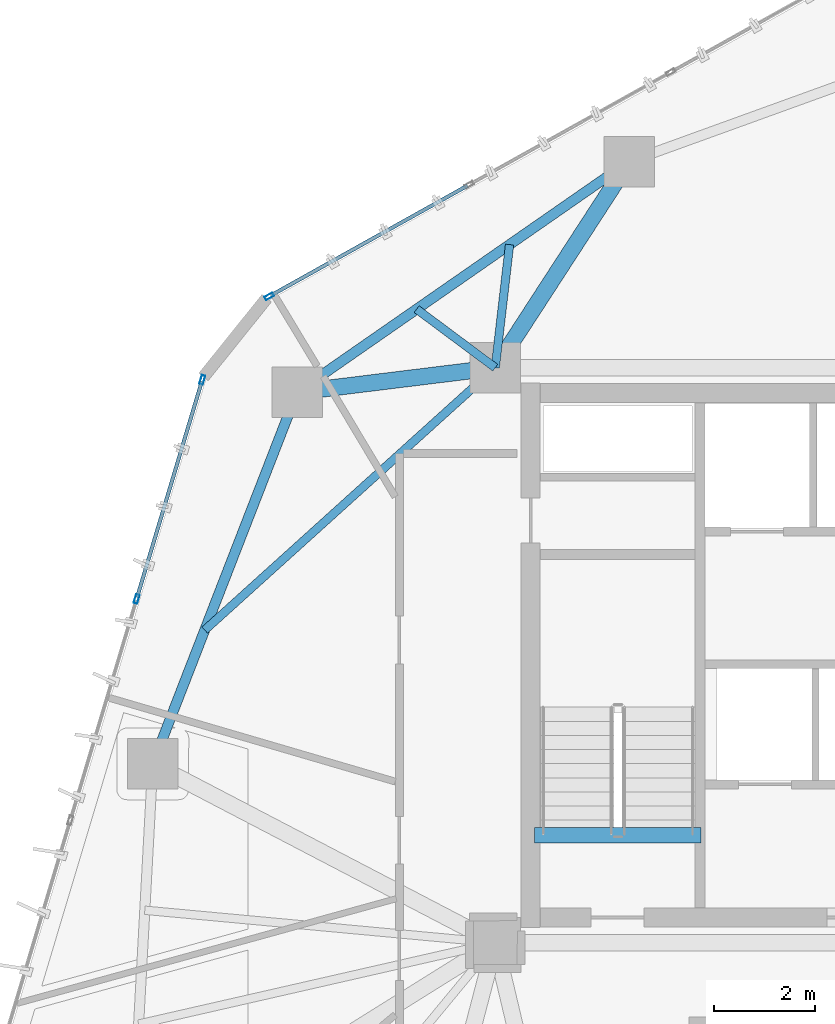
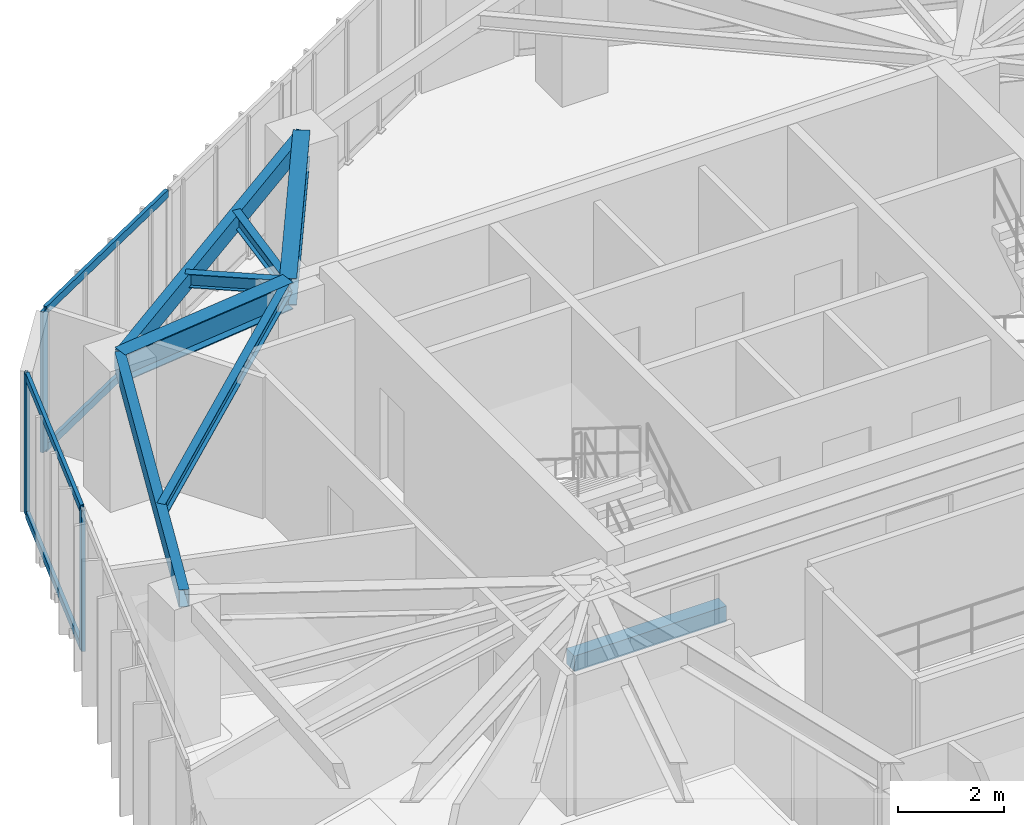
# One storey, part 7 of 19: 8 beams, 7 members, 2 elements without a shape of their own.
"""IFC4 building model written with IfcOpenShell, lengths in metres."""

from ifc_helpers import new_model, si_unit, direction, frame, origin, origin_2d, place, context, subcontext, project, spatial, rectangle, hollow_rectangle, i_section, extrude, source, transform, mapped, material, layer, layer_set, material_profile, profile_set, type_object, type_shapes, element, aggregate, save


model = new_model("IFC4")

# Units and contexts
model_context = context("Model", 3, precision=1e-05, world=origin(), true_north=direction((0.0, 1.0)))
body_context = subcontext(model_context, "Body", "Model", "MODEL_VIEW")
ifc_project = project(units=[si_unit("LENGTHUNIT", "METRE"), si_unit("AREAUNIT", "SQUARE_METRE"), si_unit("VOLUMEUNIT", "CUBIC_METRE"), si_unit("PLANEANGLEUNIT", "RADIAN"), si_unit("MASSUNIT", "GRAM", prefix="KILO")], contexts=[model_context])

# Site, building, storey
site_placement = place(None, origin())
site = spatial("IfcSite", under=ifc_project, at=site_placement, CompositionType="ELEMENT")
building_placement = place(site_placement, origin())
building = spatial("IfcBuilding", under=site, at=building_placement, Name="Talar Marvaseh", CompositionType="ELEMENT")
storey_placement = place(building_placement, frame((0.0, 0.0, 177.5)))
storey = spatial("IfcBuildingStorey", under=building, at=storey_placement, Name="L46", CompositionType="ELEMENT", Elevation=177.5)

# Beams
ifc_material_1 = material(Name="Concrete C40/50", Category="concrete")
ifc_material_profile_1 = material_profile(ifc_material_1, rectangle(XDim=0.300048828125, YDim=0.360107421875, at=origin_2d()), Name="RC300x360")
ifc_profile_set_1 = profile_set([ifc_material_profile_1], Name="Concrete C40/50")
beam_type_1 = type_object("IfcBeamType", Name="Concrete Stair Landing Trimmer Beam RC300x360", PredefinedType="SPANDREL", material=ifc_profile_set_1)
beam_1_placement = place(storey_placement, frame((22.780029296875, 27.6298828125, -0.179931640625), z_axis=(-1.0, 0.0, 0.0), x_axis=(0.0, -1.0, 0.0)))
element("IfcBeam", 1, at=beam_1_placement, inside=storey, type_object=beam_type_1, Name="L46 ST-1 Stair Nosing Trimmer Beam", PredefinedType="SPANDREL", context=body_context, shape_type="SweptSolid", body=[
    extrude(rectangle(XDim=0.300048828125, YDim=0.360107421875, at=origin_2d()), origin(), (0.0, 0.0, 1.0), 3.300048828125),
])
ifc_material_2 = material(Name="Steel S355", Category="steel")
ifc_material_profile_2 = material_profile(ifc_material_2, hollow_rectangle(XDim=0.199951171875, YDim=0.39990234375, WallThickness=0.013916015625, at=origin_2d()), Name="RHS400x200x14")
ifc_profile_set_2 = profile_set([ifc_material_profile_2], Name="Steel S355")
beam_type_2 = type_object("IfcBeamType", Name="Zone 3 Perimeter Spandrel Beam RHS400x200x14", PredefinedType="SPANDREL", material=ifc_profile_set_2)
beam_2_placement = place(storey_placement, frame((11.908935546875, 29.044921875, 3.030029296875), z_axis=(0.362169134611, 0.932112395548, 0.0), x_axis=(-0.932112395548, 0.362169134611, 0.0)))
element("IfcBeam", 2, at=beam_2_placement, inside=storey, type_object=beam_type_2, Name="L46 Zone 3 Perimeter Spandrel Beam RHS400x200x14", PredefinedType="SPANDREL", context=body_context, shape_type="SweptSolid", body=[
    extrude(hollow_rectangle(XDim=0.199951171875, YDim=0.39990234375, WallThickness=0.013916015625, at=origin_2d()), origin(), (0.0, 0.0, 1.0), 7.907958984375),
])
beam_3_placement = place(storey_placement, frame((14.77294921875, 36.416015625, 3.030029296875), z_axis=(0.821296978901, 0.570500896098, 0.0), x_axis=(-0.570500896098, 0.821296978901, 0.0)))
element("IfcBeam", 3, at=beam_3_placement, inside=storey, type_object=beam_type_2, Name="L46 Zone 3 Perimeter Spandrel Beam RHS400x200x14", PredefinedType="SPANDREL", context=body_context, shape_type="SweptSolid", body=[
    extrude(hollow_rectangle(XDim=0.199951171875, YDim=0.39990234375, WallThickness=0.013916015625, at=origin_2d()), origin(), (0.0, 0.0, 1.0), 8.0107421875),
])
ifc_material_profile_3 = material_profile(ifc_material_2, i_section(OverallWidth=0.324951171875, OverallDepth=0.615966796875, WebThickness=0.013916015625, FlangeThickness=0.021484375, at=origin_2d()), Name="W610x174")
ifc_profile_set_3 = profile_set([ifc_material_profile_3], Name="Steel S355")
beam_type_3 = type_object("IfcBeamType", Name="Zone 3 Radial Floor Girder W610x174", PredefinedType="BEAM", material=ifc_profile_set_3)
beam_4_placement = place(storey_placement, frame((14.77294921875, 36.416015625, 2.922119140625), z_axis=(0.99249373738, 0.122295467049, 0.0), x_axis=(-0.122295467049, 0.99249373738, 0.0)))
element("IfcBeam", 4, at=beam_4_placement, inside=storey, type_object=beam_type_3, Name="L46 Zone 3 Radial Floor Girder W610x174", PredefinedType="BEAM", context=body_context, shape_type="SweptSolid", body=[
    extrude(i_section(OverallWidth=0.324951171875, OverallDepth=0.615966796875, WebThickness=0.013916015625, FlangeThickness=0.021484375, at=origin_2d()), origin(), (0.0, 0.0, 1.0), 3.956787109375),
])
beam_5_placement = place(storey_placement, frame((21.35205078125, 40.986083984375, 2.922119140625), z_axis=(-0.544422757063, -0.838810980849, 0.0), x_axis=(0.838810980849, -0.544422757063, 0.0)))
element("IfcBeam", 5, at=beam_5_placement, inside=storey, type_object=beam_type_3, Name="L46 Zone 3 Radial Floor Girder W610x174", PredefinedType="BEAM", context=body_context, shape_type="SweptSolid", body=[
    extrude(i_section(OverallWidth=0.324951171875, OverallDepth=0.615966796875, WebThickness=0.013916015625, FlangeThickness=0.021484375, at=origin_2d()), origin(), (0.0, 0.0, 1.0), 4.871337890625),
])
ifc_material_profile_4 = material_profile(ifc_material_2, i_section(OverallWidth=0.166015625, OverallDepth=0.31298828125, WebThickness=0.006591796875, FlangeThickness=0.01123046875, at=origin_2d()), Name="W310x45")
ifc_profile_set_4 = profile_set([ifc_material_profile_4], Name="Steel S355")
beam_type_4 = type_object("IfcBeamType", Name="Zone 3 Secondary Floor Joist W310x45", PredefinedType="JOIST", material=ifc_profile_set_4)
beam_6_placement = place(storey_placement, frame((12.93994140625, 31.698486328125, 3.073486328125), z_axis=(0.74217784775, 0.670202985899, 0.0), x_axis=(-0.670202985899, 0.74217784775, 0.0)))
element("IfcBeam", 6, at=beam_6_placement, inside=storey, type_object=beam_type_4, Name="L46 Zone 3 Secondary Floor Joist W310x45", PredefinedType="JOIST", context=body_context, shape_type="SweptSolid", body=[
    extrude(i_section(OverallWidth=0.166015625, OverallDepth=0.31298828125, WebThickness=0.006591796875, FlangeThickness=0.01123046875, at=origin_2d()), origin(), (0.0, 0.0, 1.0), 7.760986328125),
])
beam_7_placement = place(storey_placement, frame((17.141357421875, 38.061279296875, 3.073486328125), z_axis=(0.801865127607, -0.597505077072, 0.0), x_axis=(0.597505077072, 0.801865127607, 0.0)))
element("IfcBeam", 7, at=beam_7_placement, inside=storey, type_object=beam_type_4, Name="L46 Zone 3 Secondary Floor Joist W310x45", PredefinedType="JOIST", context=body_context, shape_type="SweptSolid", body=[
    extrude(i_section(OverallWidth=0.166015625, OverallDepth=0.31298828125, WebThickness=0.006591796875, FlangeThickness=0.01123046875, at=origin_2d()), origin(), (0.0, 0.0, 1.0), 1.943603515625),
])
beam_8_placement = place(storey_placement, frame((18.983642578125, 39.3408203125, 3.073486328125), z_axis=(-0.115446145895, -0.993313740667, 0.0), x_axis=(0.993313740667, -0.115446145895, 0.0)))
element("IfcBeam", 8, at=beam_8_placement, inside=storey, type_object=beam_type_4, Name="L46 Zone 3 Secondary Floor Joist W310x45", PredefinedType="JOIST", context=body_context, shape_type="SweptSolid", body=[
    extrude(i_section(OverallWidth=0.166015625, OverallDepth=0.31298828125, WebThickness=0.006591796875, FlangeThickness=0.01123046875, at=origin_2d()), origin(), (0.0, 0.0, 1.0), 2.457275390625),
])

# Curtain wall, members
ifc_material_3 = material(Name="Architectural Aluminium", Category="aluminium")
ifc_layer = layer(ifc_material_3, 0.18994140625)
ifc_layer_set = layer_set([ifc_layer], Name="Architectural Aluminium")
curtain_wall_type = type_object("IfcCurtainWallType", Name="Unitised Solar Atelier Curtain Wall Z3", PredefinedType="NOTDEFINED", material=ifc_layer_set)
curtain_wall_1_placement = place(storey_placement, origin())
curtain_wall_1 = element("IfcCurtainWall", 9, at=curtain_wall_1_placement, inside=storey, type_object=curtain_wall_type, Name="L46 Unitised Solar Atelier Curtain Wall Z3", PredefinedType="NOTDEFINED")
ifc_material_profile_5 = material_profile(ifc_material_3, hollow_rectangle(XDim=0.074951171875, YDim=0.179931640625, WallThickness=0.0048828125, at=origin_2d()), Name="RHS180x75x5")
ifc_profile_set_5 = profile_set([ifc_material_profile_5], Name="Architectural Aluminium")
member_type_1 = type_object("IfcMemberType", Name="Unitised Curtain Wall Standard Mullion RHS180x75x5", PredefinedType="MULLION", material=ifc_profile_set_5)
shared_shape_1 = source(origin(), body_context, "Body", "SweptSolid", [
    extrude(hollow_rectangle(XDim=0.074951171875, YDim=0.179931640625, WallThickness=0.0048828125, at=origin_2d()), origin(), (0.0, 0.0, 1.0), 3.22998046875),
])
type_shapes(member_type_1, [shared_shape_1])
member_1_placement = place(storey_placement, frame((11.589599609375, 32.313232421875, 0.0), z_axis=(0.0, 0.0, 1.0), x_axis=(-0.957912629254, 0.287059914853, 0.0)))
member_1 = element("IfcMember", 10, at=member_1_placement, type_object=member_type_1, Name="CW-Z3 mullion 3", PredefinedType="MULLION", context=body_context, shape_type="MappedRepresentation", body=[
    mapped(shared_shape_1, transform((0.0, 0.0, 0.0), x_axis=(1.0, 0.0, 0.0), y_axis=(0.0, 1.0, 0.0), z_axis=(0.0, 0.0, 1.0), scale=1.0)),
])
member_2_placement = place(storey_placement, frame((12.892822265625, 36.661865234375, 0.0), z_axis=(0.0, 0.0, 1.0), x_axis=(-0.957912629254, 0.287059914853, 0.0)))
member_2 = element("IfcMember", 11, at=member_2_placement, type_object=member_type_1, Name="CW-Z3 mullion 4", PredefinedType="MULLION", context=body_context, shape_type="MappedRepresentation", body=[
    mapped(shared_shape_1, transform((0.0, 0.0, 0.0), x_axis=(1.0, 0.0, 0.0), y_axis=(0.0, 1.0, 0.0), z_axis=(0.0, 0.0, 1.0), scale=1.0)),
])

# Curtain wall, member
curtain_wall_2_placement = place(storey_placement, origin())
curtain_wall_2 = element("IfcCurtainWall", 12, at=curtain_wall_2_placement, inside=storey, type_object=curtain_wall_type, Name="L46 Unitised Solar Atelier Curtain Wall Z3", PredefinedType="NOTDEFINED")
member_3_placement = place(storey_placement, frame((14.21826171875, 38.3134765625, 0.0), z_axis=(0.0, 0.0, 1.0), x_axis=(-0.487589409522, 0.873073059785, 0.0)))
member_3 = element("IfcMember", 13, at=member_3_placement, type_object=member_type_1, Name="CW-Z3 mullion 1", PredefinedType="MULLION", context=body_context, shape_type="MappedRepresentation", body=[
    mapped(shared_shape_1, transform((0.0, 0.0, 0.0), x_axis=(1.0, 0.0, 0.0), y_axis=(0.0, 1.0, 0.0), z_axis=(0.0, 0.0, 1.0), scale=1.0)),
])

# Member
ifc_material_profile_6 = material_profile(ifc_material_3, hollow_rectangle(XDim=0.074951171875, YDim=0.179931640625, WallThickness=0.0048828125, at=origin_2d()), Name="RHS180x75x5")
ifc_profile_set_6 = profile_set([ifc_material_profile_6], Name="Architectural Aluminium")
member_type_2 = type_object("IfcMemberType", Name="Unitised Curtain Wall Transom RHS180x75x5", PredefinedType="USERDEFINED", material=ifc_profile_set_6)
shared_shape_2 = source(origin(), body_context, "Body", "SweptSolid", [
    extrude(hollow_rectangle(XDim=0.074951171875, YDim=0.179931640625, WallThickness=0.0048828125, at=origin_2d()), origin(), (0.0, 0.0, 1.0), 4.46484375),
])
type_shapes(member_type_2, [shared_shape_2])
member_4_placement = place(storey_placement, frame((11.600341796875, 32.34912109375, 0.03759765625), z_axis=(0.287076975748, 0.95790751641, 0.0), x_axis=(-0.95790751641, 0.287076975748, 0.0)))
member_4 = element("IfcMember", 14, at=member_4_placement, type_object=member_type_2, Name="CW-Z3 transom 3.1", ObjectType="TRANSOM", PredefinedType="USERDEFINED", context=body_context, shape_type="MappedRepresentation", body=[
    mapped(shared_shape_2, transform((0.0, 0.0, 0.0), x_axis=(1.0, 0.0, 0.0), y_axis=(0.0, 1.0, 0.0), z_axis=(0.0, 0.0, 1.0), scale=1.0)),
])

member_5_placement = place(storey_placement, frame((11.600341796875, 32.34912109375, 3.1923828125), z_axis=(0.287076975748, 0.95790751641, 0.0), x_axis=(-0.95790751641, 0.287076975748, 0.0)))
member_5 = element("IfcMember", 15, at=member_5_placement, type_object=member_type_2, Name="CW-Z3 transom 3.2", ObjectType="TRANSOM", PredefinedType="USERDEFINED", context=body_context, shape_type="MappedRepresentation", body=[
    mapped(shared_shape_2, transform((0.0, 0.0, 0.0), x_axis=(1.0, 0.0, 0.0), y_axis=(0.0, 1.0, 0.0), z_axis=(0.0, 0.0, 1.0), scale=1.0)),
])

aggregate(curtain_wall_1, [member_1, member_2, member_4, member_5])

member_6_placement = place(storey_placement, frame((14.2509765625, 38.331787109375, 0.03759765625), z_axis=(0.873100272496, 0.4875406795, 0.0), x_axis=(-0.4875406795, 0.873100272496, 0.0)))
member_6 = element("IfcMember", 16, at=member_6_placement, type_object=member_type_2, Name="CW-Z3 transom 1.1", ObjectType="TRANSOM", PredefinedType="USERDEFINED", context=body_context, shape_type="MappedRepresentation", body=[
    mapped(shared_shape_2, transform((0.0, 0.0, 0.0), x_axis=(1.0, 0.0, 0.0), y_axis=(0.0, 1.0, 0.0), z_axis=(0.0, 0.0, 1.0), scale=1.0)),
])

member_7_placement = place(storey_placement, frame((14.2509765625, 38.331787109375, 3.1923828125), z_axis=(0.873100272496, 0.4875406795, 0.0), x_axis=(-0.4875406795, 0.873100272496, 0.0)))
member_7 = element("IfcMember", 17, at=member_7_placement, type_object=member_type_2, Name="CW-Z3 transom 1.2", ObjectType="TRANSOM", PredefinedType="USERDEFINED", context=body_context, shape_type="MappedRepresentation", body=[
    mapped(shared_shape_2, transform((0.0, 0.0, 0.0), x_axis=(1.0, 0.0, 0.0), y_axis=(0.0, 1.0, 0.0), z_axis=(0.0, 0.0, 1.0), scale=1.0)),
])

aggregate(curtain_wall_2, [member_3, member_6, member_7])

save(model, "model.ifc")
